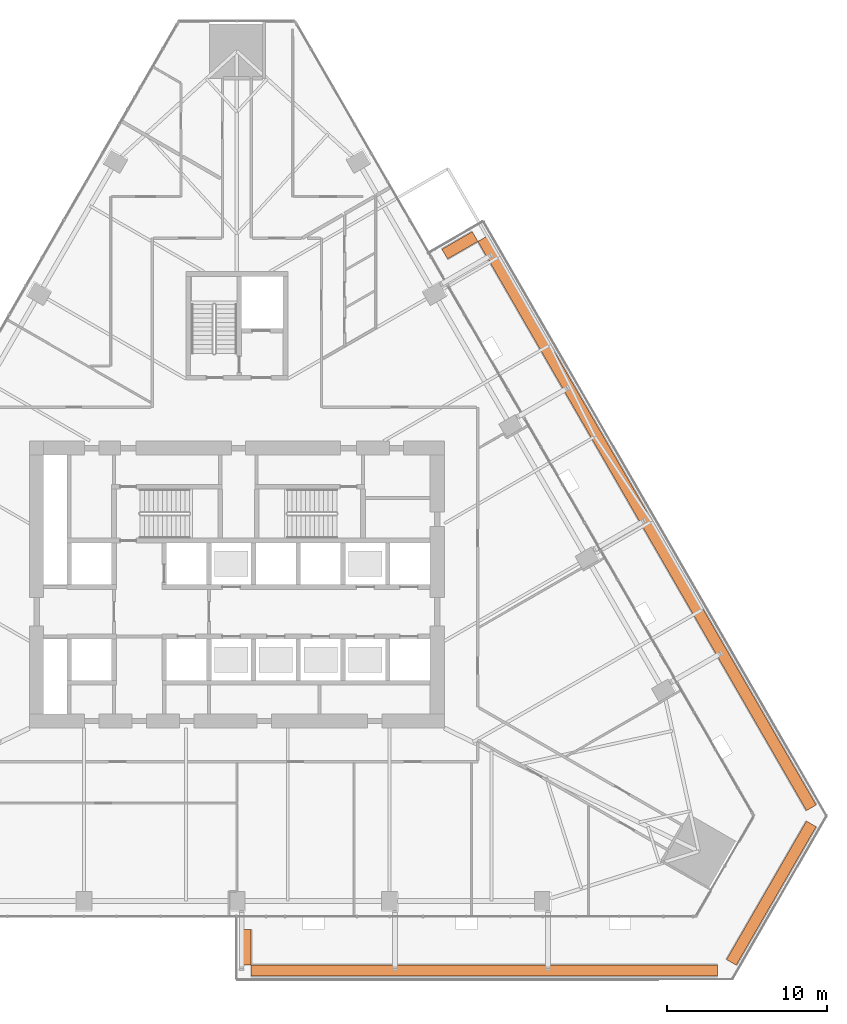
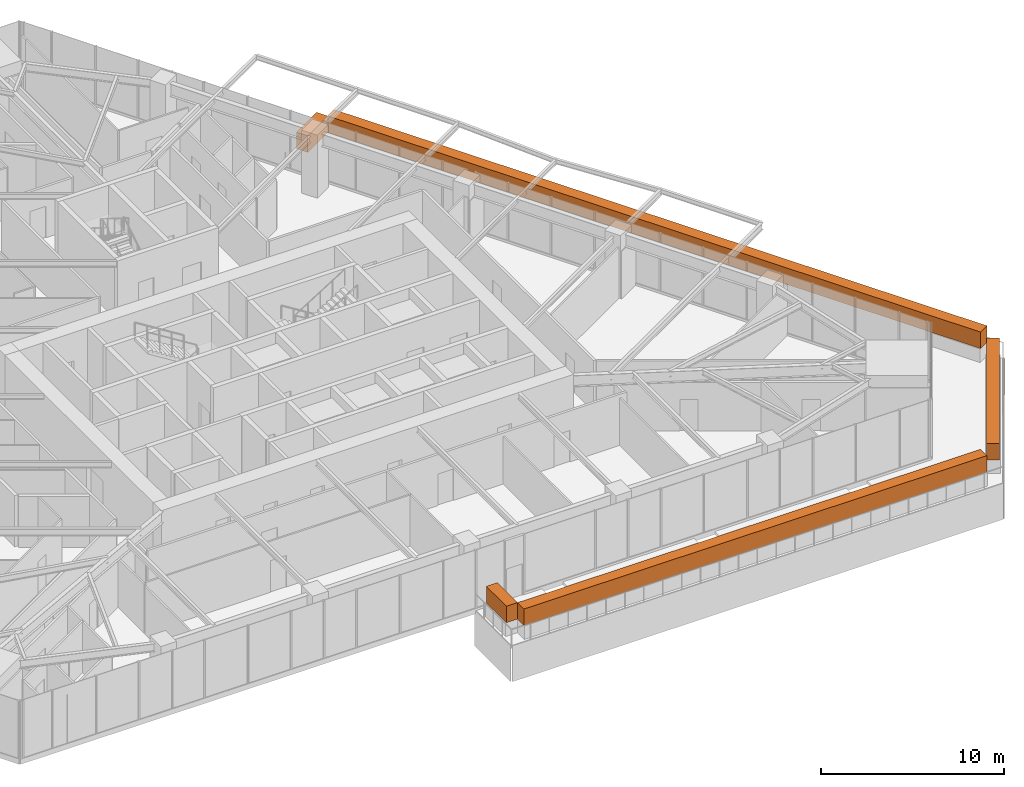
# One storey, part 29 of 29: 5 geographic elements.
"""IFC4 building model written with IfcOpenShell, lengths in metres."""

from ifc_helpers import new_model, si_unit, direction, frame, origin, origin_2d, place, context, subcontext, project, spatial, rectangle, extrude, material, type_object, element, save


model = new_model("IFC4")

# Units and contexts
model_context = context("Model", 3, precision=1e-05, world=origin(), true_north=direction((0.0, 1.0)))
body_context = subcontext(model_context, "Body", "Model", "MODEL_VIEW")
ifc_project = project(units=[si_unit("LENGTHUNIT", "METRE"), si_unit("AREAUNIT", "SQUARE_METRE"), si_unit("VOLUMEUNIT", "CUBIC_METRE"), si_unit("PLANEANGLEUNIT", "RADIAN"), si_unit("MASSUNIT", "GRAM", prefix="KILO")], contexts=[model_context])

# Site, building, storey
site_placement = place(None, origin())
site = spatial("IfcSite", under=ifc_project, at=site_placement, CompositionType="ELEMENT")
building_placement = place(site_placement, origin())
building = spatial("IfcBuilding", under=site, at=building_placement, Name="Firuza Gate Tower and Library", CompositionType="ELEMENT")
storey_placement = place(building_placement, frame((0.0, 0.0, 48.39990234375)))
storey = spatial("IfcBuildingStorey", under=building, at=storey_placement, Name="L10", CompositionType="ELEMENT", Elevation=48.39990234375)

# Geographic elements
ifc_material = material(Name="Foliage")
geographic_element_type = type_object("IfcGeographicElementType", Name="Planted hedge", PredefinedType="USERDEFINED", material=ifc_material)
geographic_element_1_placement = place(storey_placement, frame((75.550048828125, 52.272216796875, 0.900146484375), z_axis=(0.0, 0.0, 1.0), x_axis=(0.0, -1.0, 0.0)))
element("IfcGeographicElement", 1, at=geographic_element_1_placement, inside=storey, type_object=geographic_element_type, Name="Planted hedge", ObjectType="HEDGE", PredefinedType="USERDEFINED", context=body_context, shape_type="SweptSolid", body=[
    extrude(rectangle(XDim=2.199951171875, YDim=0.699951171875, at=origin_2d()), origin(), (0.0, 0.0, 1.0), 1.10009765625),
])
geographic_element_2_placement = place(storey_placement, frame((90.505615234375, 50.822265625, 0.900146484375), z_axis=(0.0, 0.0, 1.0), x_axis=(1.0, 0.0, 0.0)))
element("IfcGeographicElement", 2, at=geographic_element_2_placement, inside=storey, type_object=geographic_element_type, Name="Planted hedge", ObjectType="HEDGE", PredefinedType="USERDEFINED", context=body_context, shape_type="SweptSolid", body=[
    extrude(rectangle(XDim=29.211181640625, YDim=0.699951171875, at=origin_2d()), origin(), (0.0, 0.0, 1.0), 1.10009765625),
])
geographic_element_3_placement = place(storey_placement, frame((108.489501953125, 55.664794921875, 0.900146484375), z_axis=(0.0, 0.0, 1.0), x_axis=(0.5, 0.866025403784, 0.0)))
element("IfcGeographicElement", 3, at=geographic_element_3_placement, inside=storey, type_object=geographic_element_type, Name="Planted hedge", ObjectType="HEDGE", PredefinedType="USERDEFINED", context=body_context, shape_type="SweptSolid", body=[
    extrude(rectangle(XDim=10.018798828125, YDim=0.699951171875, at=origin_2d()), origin(), (0.0, 0.0, 1.0), 1.10009765625),
])
geographic_element_4_placement = place(storey_placement, frame((100.69970703125, 78.8427734375, 0.900146484375), z_axis=(0.0, 0.0, 1.0), x_axis=(-0.5, 0.866025403784, 0.0)))
element("IfcGeographicElement", 4, at=geographic_element_4_placement, inside=storey, type_object=geographic_element_type, Name="Planted hedge", ObjectType="HEDGE", PredefinedType="USERDEFINED", context=body_context, shape_type="SweptSolid", body=[
    extrude(rectangle(XDim=41.17822265625, YDim=0.699951171875, at=origin_2d()), origin(), (0.0, 0.0, 1.0), 1.10009765625),
])
geographic_element_5_placement = place(storey_placement, frame((88.974365234375, 96.25146484375, 0.900146484375), z_axis=(0.0, 0.0, 1.0), x_axis=(-0.866025403784, -0.5, 0.0)))
element("IfcGeographicElement", 5, at=geographic_element_5_placement, inside=storey, type_object=geographic_element_type, Name="Planted hedge", ObjectType="HEDGE", PredefinedType="USERDEFINED", context=body_context, shape_type="SweptSolid", body=[
    extrude(rectangle(XDim=2.199951171875, YDim=0.699951171875, at=origin_2d()), origin(), (0.0, 0.0, 1.0), 1.10009765625),
])

save(model, "model.ifc")
